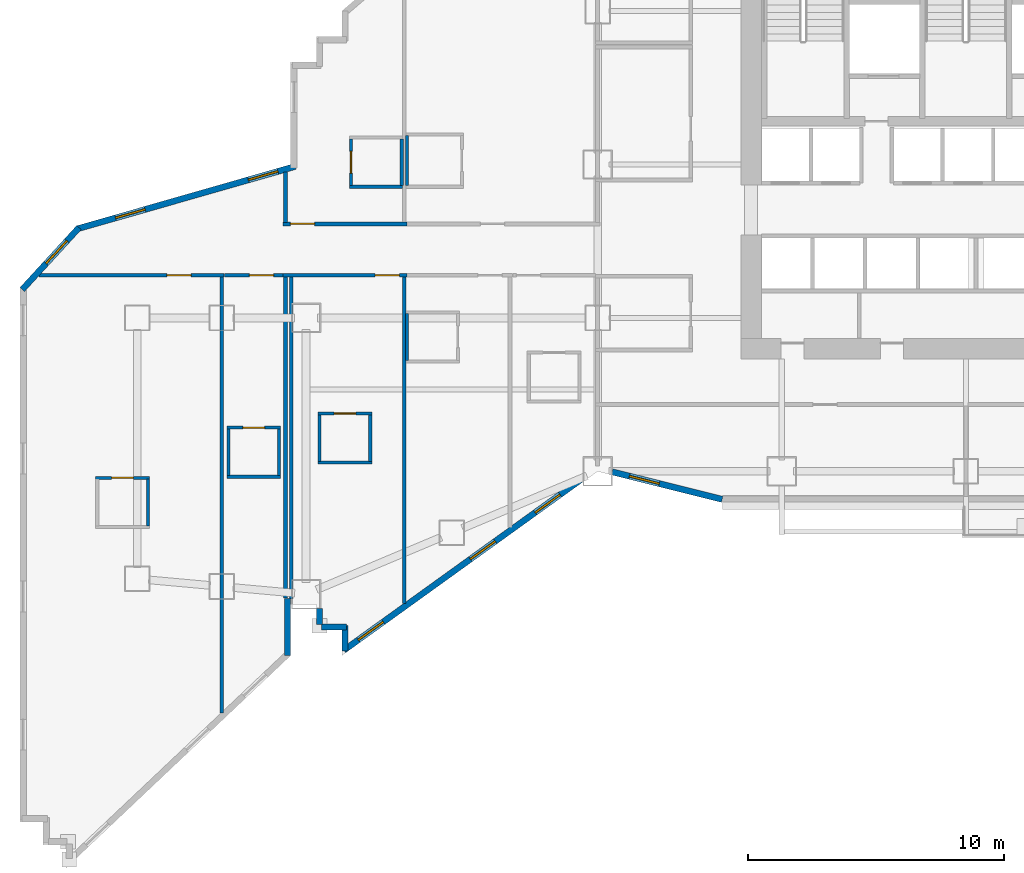
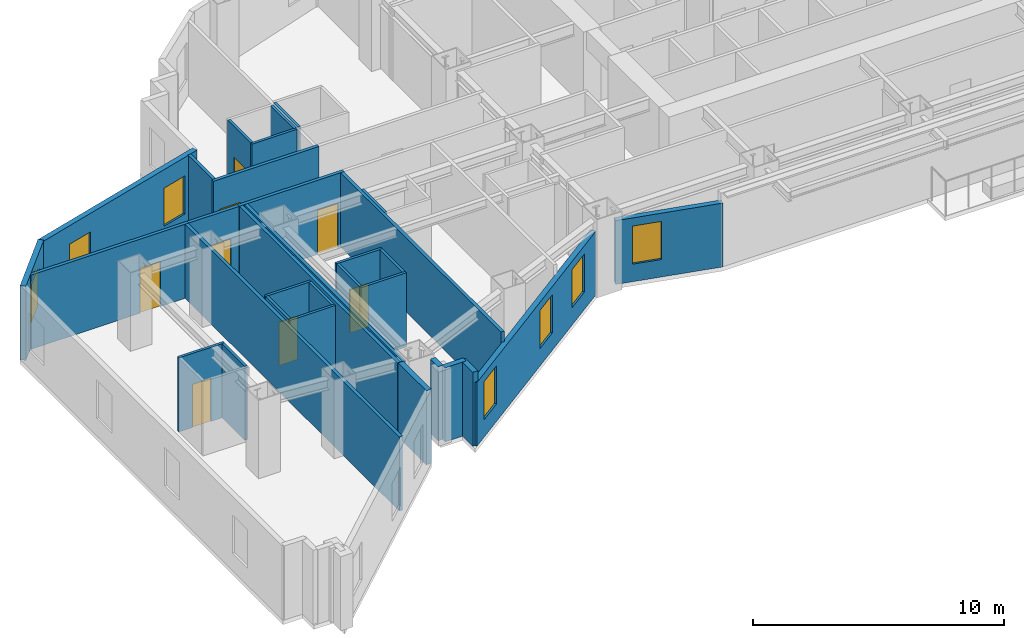
# One storey, part 6 of 17: 32 walls, 8 doors, 7 windows, 15 openings.
"""IFC4 building model written with IfcOpenShell, lengths in metres."""

from ifc_helpers import new_model, si_unit, direction, frame, frame_2d, origin, place, context, subcontext, project, spatial, rectangle, extrude, material, layer, layer_set, type_object, element, fill, save


model = new_model("IFC4")

# Units and contexts
model_context = context("Model", 3, precision=1e-05, world=origin(), true_north=direction((0.0, 1.0)))
body_context = subcontext(model_context, "Body", "Model", "MODEL_VIEW")
ifc_project = project(units=[si_unit("LENGTHUNIT", "METRE"), si_unit("AREAUNIT", "SQUARE_METRE"), si_unit("VOLUMEUNIT", "CUBIC_METRE"), si_unit("PLANEANGLEUNIT", "RADIAN"), si_unit("MASSUNIT", "GRAM", prefix="KILO")], contexts=[model_context])

# Site, building, storey
site_placement = place(None, origin())
site = spatial("IfcSite", under=ifc_project, at=site_placement, CompositionType="ELEMENT")
building_placement = place(site_placement, origin())
building = spatial("IfcBuilding", under=site, at=building_placement, Name="Haolan Belvedere Tower", CompositionType="ELEMENT")
storey_placement = place(building_placement, frame((0.0, 0.0, 59.0)))
storey = spatial("IfcBuildingStorey", under=building, at=storey_placement, Name="L14", CompositionType="ELEMENT", Elevation=59.0)

# Walls
ifc_material_1 = material(Name="Precast concrete C40/50", Category="concrete")
ifc_layer_1 = layer(ifc_material_1, 0.239990234375, Name="Precast concrete C40/50")
ifc_layer_set_1 = layer_set([ifc_layer_1], Name="Precast concrete C40/50")
wall_type_1 = type_object("IfcWallType", Name="WL-EXT-240", PredefinedType="SOLIDWALL", material=ifc_layer_set_1)
wall_1_placement = place(storey_placement, frame((11.8798828125, 14.396728515625, 0.0), z_axis=(0.0, 0.0, 1.0), x_axis=(0.0, 1.0, 0.0)))
element("IfcWall", 1, at=wall_1_placement, inside=storey, type_object=wall_type_1, Name="L14 pale-metal exterior spandrel wall 6.1", PredefinedType="SOLIDWALL", context=body_context, shape_type="SweptSolid", body=[
    extrude(rectangle(XDim=2.2431640625, YDim=0.239990234375, at=frame_2d((1.12158203125, 0.0))), origin(), (0.0, 0.0, 1.0), 3.60009765625),
])
wall_2_placement = place(storey_placement, frame((13.1201171875, 16.23291015625, 0.0), z_axis=(0.0, 0.0, 1.0), x_axis=(0.0, -1.0, 0.0)))
element("IfcWall", 2, at=wall_2_placement, inside=storey, type_object=wall_type_1, Name="L14 pale-metal exterior spandrel wall 8.1", PredefinedType="SOLIDWALL", context=body_context, shape_type="SweptSolid", body=[
    extrude(rectangle(XDim=0.6279296875, YDim=0.239990234375, at=frame_2d((0.31396484375, 0.0))), origin(), (0.0, 0.0, 1.0), 3.60009765625),
])
wall_3_placement = place(storey_placement, frame((13.205078125, 15.52001953125, 0.0), z_axis=(0.0, 0.0, 1.0), x_axis=(1.0, 0.0, 0.0)))
element("IfcWall", 3, at=wall_3_placement, inside=storey, type_object=wall_type_1, Name="L14 pale-metal exterior spandrel wall 9.1", PredefinedType="SOLIDWALL", context=body_context, shape_type="SweptSolid", body=[
    extrude(rectangle(XDim=0.969970703125, YDim=0.239990234375, at=frame_2d((0.48486328125, 0.0))), origin(), (0.0, 0.0, 1.0), 3.60009765625),
])
wall_4_placement = place(storey_placement, frame((14.1201171875, 15.574951171875, 0.0), z_axis=(0.0, 0.0, 1.0), x_axis=(0.0, -1.0, 0.0)))
element("IfcWall", 4, at=wall_4_placement, inside=storey, type_object=wall_type_1, Name="L14 pale-metal exterior spandrel wall 10.1", PredefinedType="SOLIDWALL", context=body_context, shape_type="SweptSolid", body=[
    extrude(rectangle(XDim=0.99560546875, YDim=0.239990234375, at=frame_2d((0.497802734375, 0.0))), origin(), (0.0, 0.0, 1.0), 3.60009765625),
])

# Wall, openings, windows
wall_5_placement = place(storey_placement, frame((14.075439453125, 14.602294921875, 0.0), z_axis=(0.0, 0.0, 1.0), x_axis=(0.811543176492, 0.58429245476, 0.0)))
wall_5 = element("IfcWall", 5, at=wall_5_placement, inside=storey, type_object=wall_type_1, Name="L14 pale-metal exterior spandrel wall 11.1", PredefinedType="SOLIDWALL", context=body_context, shape_type="SweptSolid", body=[
    extrude(rectangle(XDim=11.53076171875, YDim=0.239990234375, at=frame_2d((5.765380859375, 0.0))), origin(), (0.0, 0.0, 1.0), 3.096923828125),
])
opening_1_placement = place(wall_5_placement, frame((0.699951171875, 0.0, 0.85009765625)))
opening_1 = element("IfcOpeningElement", 6, at=opening_1_placement, cuts=wall_5, Name="Opening W-01", PredefinedType="OPENING", context=body_context, shape_type="SweptSolid", body=[
    extrude(rectangle(XDim=1.199951171875, YDim=1.85009765625, at=frame_2d((0.60009765625, 0.925048828125))), frame((0.0, 0.1298828125, 0.0), z_axis=(0.0, -1.0, 0.0), x_axis=(1.0, 0.0, 0.0)), (0.0, 0.0, 1.0), 0.260009765625),
])
opening_2_placement = place(wall_5_placement, frame((6.10009765625, 0.0, 0.85009765625)))
opening_2 = element("IfcOpeningElement", 7, at=opening_2_placement, cuts=wall_5, Name="Opening W-01", PredefinedType="OPENING", context=body_context, shape_type="SweptSolid", body=[
    extrude(rectangle(XDim=1.199951171875, YDim=1.85009765625, at=frame_2d((0.60009765625, 0.925048828125))), frame((0.0, 0.1298828125, 0.0), z_axis=(0.0, -1.0, 0.0), x_axis=(1.0, 0.0, 0.0)), (0.0, 0.0, 1.0), 0.260009765625),
])
opening_3_placement = place(wall_5_placement, frame((9.217529296875, 0.0, 0.85009765625)))
opening_3 = element("IfcOpeningElement", 8, at=opening_3_placement, cuts=wall_5, Name="Opening W-01", PredefinedType="OPENING", context=body_context, shape_type="SweptSolid", body=[
    extrude(rectangle(XDim=1.199951171875, YDim=1.85009765625, at=frame_2d((0.60009765625, 0.925048828125))), frame((0.0, 0.1298828125, 0.0), z_axis=(0.0, -1.0, 0.0), x_axis=(1.0, 0.0, 0.0)), (0.0, 0.0, 1.0), 0.260009765625),
])
ifc_material_2 = material(Name="Anodised aluminium 6063-T6 and Low-E glass", Category="aluminium")
window_type = type_object("IfcWindowType", Name="WN-DECO-Z1", PartitioningType="SINGLE_PANEL", PredefinedType="WINDOW", material=ifc_material_2)
window_1_placement = place(opening_1_placement, origin())
window_1 = element("IfcWindow", 9, at=window_1_placement, inside=storey, type_object=window_type, Name="L14 Art Deco chevron window 1", OverallHeight=1.85009765625, OverallWidth=1.199951171875, PartitioningType="SINGLE_PANEL", PredefinedType="WINDOW", context=body_context, shape_type="SweptSolid", body=[
    extrude(rectangle(XDim=1.199951171875, YDim=1.85009765625, at=frame_2d((0.60009765625, 0.925048828125))), frame((0.0, 0.030029296875, 0.0), z_axis=(0.0, -1.0, 0.0), x_axis=(1.0, 0.0, 0.0)), (0.0, 0.0, 1.0), 0.06005859375),
])
fill(opening_1, window_1)
window_2_placement = place(opening_2_placement, origin())
window_2 = element("IfcWindow", 10, at=window_2_placement, inside=storey, type_object=window_type, Name="L14 Art Deco chevron window 2", OverallHeight=1.85009765625, OverallWidth=1.199951171875, PartitioningType="SINGLE_PANEL", PredefinedType="WINDOW", context=body_context, shape_type="SweptSolid", body=[
    extrude(rectangle(XDim=1.199951171875, YDim=1.85009765625, at=frame_2d((0.60009765625, 0.925048828125))), frame((0.0, 0.030029296875, 0.0), z_axis=(0.0, -1.0, 0.0), x_axis=(1.0, 0.0, 0.0)), (0.0, 0.0, 1.0), 0.06005859375),
])
fill(opening_2, window_2)
window_3_placement = place(opening_3_placement, origin())
window_3 = element("IfcWindow", 11, at=window_3_placement, inside=storey, type_object=window_type, Name="L14 Art Deco guestroom window 1", OverallHeight=1.85009765625, OverallWidth=1.199951171875, PartitioningType="SINGLE_PANEL", PredefinedType="WINDOW", context=body_context, shape_type="SweptSolid", body=[
    extrude(rectangle(XDim=1.199951171875, YDim=1.85009765625, at=frame_2d((0.60009765625, 0.925048828125))), frame((0.0, 0.030029296875, 0.0), z_axis=(0.0, -1.0, 0.0), x_axis=(1.0, 0.0, 0.0)), (0.0, 0.0, 1.0), 0.06005859375),
])
fill(opening_3, window_3)

# Wall, opening, window
wall_6_placement = place(storey_placement, frame((24.56689453125, 21.581787109375, 0.0), z_axis=(0.0, 0.0, 1.0), x_axis=(0.970148978127, -0.24250971164, 0.0)))
wall_6 = element("IfcWall", 12, at=wall_6_placement, inside=storey, type_object=wall_type_1, Name="L14 pale-metal exterior spandrel wall 12.1", PredefinedType="SOLIDWALL", context=body_context, shape_type="SweptSolid", body=[
    extrude(rectangle(XDim=4.43359375, YDim=0.239990234375, at=frame_2d((2.216796875, 0.0))), origin(), (0.0, 0.0, 1.0), 3.096923828125),
])
opening_4_placement = place(wall_6_placement, frame((0.699951171875, 0.0, 0.85009765625)))
opening_4 = element("IfcOpeningElement", 13, at=opening_4_placement, cuts=wall_6, Name="Opening W-01", PredefinedType="OPENING", context=body_context, shape_type="SweptSolid", body=[
    extrude(rectangle(XDim=1.199951171875, YDim=1.85009765625, at=frame_2d((0.60009765625, 0.925048828125))), frame((0.0, 0.1298828125, 0.0), z_axis=(0.0, -1.0, 0.0), x_axis=(1.0, 0.0, 0.0)), (0.0, 0.0, 1.0), 0.260009765625),
])
window_4_placement = place(opening_4_placement, origin())
window_4 = element("IfcWindow", 14, at=window_4_placement, inside=storey, type_object=window_type, Name="L14 Art Deco chevron window 1", OverallHeight=1.85009765625, OverallWidth=1.199951171875, PartitioningType="SINGLE_PANEL", PredefinedType="WINDOW", context=body_context, shape_type="SweptSolid", body=[
    extrude(rectangle(XDim=1.199951171875, YDim=1.85009765625, at=frame_2d((0.60009765625, 0.925048828125))), frame((0.0, 0.030029296875, 0.0), z_axis=(0.0, -1.0, 0.0), x_axis=(1.0, 0.0, 0.0)), (0.0, 0.0, 1.0), 0.06005859375),
])
fill(opening_4, window_4)

# Wall, openings, windows
wall_7_placement = place(storey_placement, frame((12.1728515625, 33.524658203125, 0.0), z_axis=(0.0, 0.0, 1.0), x_axis=(-0.961351601853, -0.275323623424, 0.0)))
wall_7 = element("IfcWall", 15, at=wall_7_placement, inside=storey, type_object=wall_type_1, Name="L14 pale-metal exterior spandrel wall 57.1", PredefinedType="SOLIDWALL", context=body_context, shape_type="SweptSolid", body=[
    extrude(rectangle(XDim=8.88330078125, YDim=0.239990234375, at=frame_2d((4.441650390625, 0.0))), origin(), (0.0, 0.0, 1.0), 3.60009765625),
])
opening_5_placement = place(wall_7_placement, frame((0.699951171875, 0.0, 0.85009765625)))
opening_5 = element("IfcOpeningElement", 16, at=opening_5_placement, cuts=wall_7, Name="Opening W-01", PredefinedType="OPENING", context=body_context, shape_type="SweptSolid", body=[
    extrude(rectangle(XDim=1.199951171875, YDim=1.85009765625, at=frame_2d((0.60009765625, 0.925048828125))), frame((0.0, 0.1298828125, 0.0), z_axis=(0.0, -1.0, 0.0), x_axis=(1.0, 0.0, 0.0)), (0.0, 0.0, 1.0), 0.260009765625),
])
opening_6_placement = place(wall_7_placement, frame((6.10009765625, 0.0, 0.85009765625)))
opening_6 = element("IfcOpeningElement", 17, at=opening_6_placement, cuts=wall_7, Name="Opening W-01", PredefinedType="OPENING", context=body_context, shape_type="SweptSolid", body=[
    extrude(rectangle(XDim=1.199951171875, YDim=1.85009765625, at=frame_2d((0.60009765625, 0.925048828125))), frame((0.0, 0.1298828125, 0.0), z_axis=(0.0, -1.0, 0.0), x_axis=(1.0, 0.0, 0.0)), (0.0, 0.0, 1.0), 0.260009765625),
])
window_5_placement = place(opening_5_placement, origin())
window_5 = element("IfcWindow", 18, at=window_5_placement, inside=storey, type_object=window_type, Name="L14 Art Deco chevron window 1", OverallHeight=1.85009765625, OverallWidth=1.199951171875, PartitioningType="SINGLE_PANEL", PredefinedType="WINDOW", context=body_context, shape_type="SweptSolid", body=[
    extrude(rectangle(XDim=1.199951171875, YDim=1.85009765625, at=frame_2d((0.60009765625, 0.925048828125))), frame((0.0, 0.030029296875, 0.0), z_axis=(0.0, -1.0, 0.0), x_axis=(1.0, 0.0, 0.0)), (0.0, 0.0, 1.0), 0.06005859375),
])
fill(opening_5, window_5)
window_6_placement = place(opening_6_placement, origin())
window_6 = element("IfcWindow", 19, at=window_6_placement, inside=storey, type_object=window_type, Name="L14 Art Deco chevron window 2", OverallHeight=1.85009765625, OverallWidth=1.199951171875, PartitioningType="SINGLE_PANEL", PredefinedType="WINDOW", context=body_context, shape_type="SweptSolid", body=[
    extrude(rectangle(XDim=1.199951171875, YDim=1.85009765625, at=frame_2d((0.60009765625, 0.925048828125))), frame((0.0, 0.030029296875, 0.0), z_axis=(0.0, -1.0, 0.0), x_axis=(1.0, 0.0, 0.0)), (0.0, 0.0, 1.0), 0.06005859375),
])
fill(opening_6, window_6)

# Wall, opening, window
wall_8_placement = place(storey_placement, frame((3.722900390625, 31.134521484375, 0.0), z_axis=(0.0, 0.0, 1.0), x_axis=(-0.675788561887, -0.737095529509, 0.0)))
wall_8 = element("IfcWall", 20, at=wall_8_placement, inside=storey, type_object=wall_type_1, Name="L14 pale-metal exterior spandrel wall 58.1", PredefinedType="SOLIDWALL", context=body_context, shape_type="SweptSolid", body=[
    extrude(rectangle(XDim=3.285400390625, YDim=0.239990234375, at=frame_2d((1.642578125, 0.0))), origin(), (0.0, 0.0, 1.0), 3.60009765625),
])
opening_7_placement = place(wall_8_placement, frame((0.699951171875, 0.0, 0.85009765625)))
opening_7 = element("IfcOpeningElement", 21, at=opening_7_placement, cuts=wall_8, Name="Opening W-01", PredefinedType="OPENING", context=body_context, shape_type="SweptSolid", body=[
    extrude(rectangle(XDim=1.199951171875, YDim=1.85009765625, at=frame_2d((0.60009765625, 0.925048828125))), frame((0.0, 0.1298828125, 0.0), z_axis=(0.0, -1.0, 0.0), x_axis=(1.0, 0.0, 0.0)), (0.0, 0.0, 1.0), 0.260009765625),
])
window_7_placement = place(opening_7_placement, origin())
window_7 = element("IfcWindow", 22, at=window_7_placement, inside=storey, type_object=window_type, Name="L14 Art Deco chevron window 1", OverallHeight=1.85009765625, OverallWidth=1.199951171875, PartitioningType="SINGLE_PANEL", PredefinedType="WINDOW", context=body_context, shape_type="SweptSolid", body=[
    extrude(rectangle(XDim=1.199951171875, YDim=1.85009765625, at=frame_2d((0.60009765625, 0.925048828125))), frame((0.0, 0.030029296875, 0.0), z_axis=(0.0, -1.0, 0.0), x_axis=(1.0, 0.0, 0.0)), (0.0, 0.0, 1.0), 0.06005859375),
])
fill(opening_7, window_7)

# Wall, opening, door
ifc_material_3 = material(Name="Double gypsum acoustic stud partition", Category="masonry")
ifc_layer_2 = layer(ifc_material_3, 0.14990234375, Name="Double gypsum acoustic stud partition")
ifc_layer_set_2 = layer_set([ifc_layer_2], Name="Double gypsum acoustic stud partition")
wall_type_2 = type_object("IfcWallType", Name="WL-PART-150", PredefinedType="PARTITIONING", material=ifc_layer_set_2)
wall_9_placement = place(storey_placement, frame((11.699951171875, 31.280029296875, 0.0), z_axis=(0.0, 0.0, 1.0), x_axis=(1.0, 0.0, 0.0)))
wall_9 = element("IfcWall", 23, at=wall_9_placement, inside=storey, type_object=wall_type_2, Name="L14 interior partition IW-L14-T2N1-S", PredefinedType="PARTITIONING", context=body_context, shape_type="SweptSolid", body=[
    extrude(rectangle(XDim=4.840087890625, YDim=0.14990234375, at=frame_2d((2.419921875, 0.0))), origin(), (0.0, 0.0, 1.0), 3.60009765625),
])
opening_8_placement = place(wall_9_placement, frame((0.28759765625, 0.0, 0.0)))
opening_8 = element("IfcOpeningElement", 24, at=opening_8_placement, cuts=wall_9, Name="Opening ID-02", PredefinedType="OPENING", context=body_context, shape_type="SweptSolid", body=[
    extrude(rectangle(XDim=0.949951171875, YDim=2.14990234375, at=frame_2d((0.47509765625, 1.074951171875))), frame((0.0, 0.0849609375, 0.0), z_axis=(0.0, -1.0, 0.0), x_axis=(1.0, 0.0, 0.0)), (0.0, 0.0, 1.0), 0.169921875),
])
ifc_material_4 = material(Name="Acoustic oak veneer fire-rated timber", Category="wood")
door_type_1 = type_object("IfcDoorType", Name="DR-GUEST-950", OperationType="NOTDEFINED", PredefinedType="DOOR", material=ifc_material_4)
door_1_placement = place(opening_8_placement, origin())
door_1 = element("IfcDoor", 25, at=door_1_placement, inside=storey, type_object=door_type_1, Name="L14 door ID-L14-T2N1-ENT", OperationType="SINGLE_SWING_RIGHT", OverallHeight=2.14990234375, OverallWidth=0.949951171875, PredefinedType="DOOR", context=body_context, shape_type="SweptSolid", body=[
    extrude(rectangle(XDim=0.949951171875, YDim=2.14990234375, at=frame_2d((0.47509765625, 1.074951171875))), frame((0.0, 0.02490234375, 0.0), z_axis=(0.0, -1.0, 0.0), x_axis=(1.0, 0.0, 0.0)), (0.0, 0.0, 1.0), 0.050048828125),
])
fill(opening_8, door_1)

# Wall
wall_10_placement = place(storey_placement, frame((11.800048828125, 31.340087890625, 0.0), z_axis=(0.0, 0.0, 1.0), x_axis=(0.0, 1.0, 0.0)))
element("IfcWall", 26, at=wall_10_placement, inside=storey, type_object=wall_type_2, Name="L14 interior partition IW-L14-T2N1-W", PredefinedType="PARTITIONING", context=body_context, shape_type="SweptSolid", body=[
    extrude(rectangle(XDim=1.968505859375, YDim=0.14990234375, at=frame_2d((0.984375, 0.0))), origin(), (0.0, 0.0, 1.0), 3.60009765625),
])

# Wall, opening, door
wall_11_placement = place(storey_placement, frame((11.699951171875, 29.27001953125, 0.0), z_axis=(0.0, 0.0, 1.0), x_axis=(1.0, 0.0, 0.0)))
wall_11 = element("IfcWall", 27, at=wall_11_placement, inside=storey, type_object=wall_type_2, Name="L14 interior partition IW-L14-T2S1-N", PredefinedType="PARTITIONING", context=body_context, shape_type="SweptSolid", body=[
    extrude(rectangle(XDim=4.840087890625, YDim=0.14990234375, at=frame_2d((2.419921875, 0.0))), origin(), (0.0, 0.0, 1.0), 3.60009765625),
])
opening_9_placement = place(wall_11_placement, frame((4.552490234375, 0.0, 0.0), z_axis=(0.0, 0.0, 1.0), x_axis=(-1.0, 0.0, 0.0)))
opening_9 = element("IfcOpeningElement", 28, at=opening_9_placement, cuts=wall_11, Name="Opening ID-02", PredefinedType="OPENING", context=body_context, shape_type="SweptSolid", body=[
    extrude(rectangle(XDim=0.949951171875, YDim=2.14990234375, at=frame_2d((0.47509765625, 1.074951171875))), frame((0.0, 0.0849609375, 0.0), z_axis=(0.0, -1.0, 0.0), x_axis=(1.0, 0.0, 0.0)), (0.0, 0.0, 1.0), 0.169921875),
])
door_2_placement = place(opening_9_placement, origin())
door_2 = element("IfcDoor", 29, at=door_2_placement, inside=storey, type_object=door_type_1, Name="L14 door ID-L14-T2S1-ENT", OperationType="SINGLE_SWING_RIGHT", OverallHeight=2.14990234375, OverallWidth=0.949951171875, PredefinedType="DOOR", context=body_context, shape_type="SweptSolid", body=[
    extrude(rectangle(XDim=0.949951171875, YDim=2.14990234375, at=frame_2d((0.47509765625, 1.074951171875))), frame((0.0, 0.02490234375, 0.0), z_axis=(0.0, -1.0, 0.0), x_axis=(1.0, 0.0, 0.0)), (0.0, 0.0, 1.0), 0.050048828125),
])
fill(opening_9, door_2)

# Walls
wall_12_placement = place(storey_placement, frame((11.800048828125, 16.64208984375, 0.0), z_axis=(0.0, 0.0, 1.0), x_axis=(0.0, 1.0, 0.0)))
element("IfcWall", 30, at=wall_12_placement, inside=storey, type_object=wall_type_2, Name="L14 interior partition IW-L14-T2S1-W", PredefinedType="PARTITIONING", context=body_context, shape_type="SweptSolid", body=[
    extrude(rectangle(XDim=12.56787109375, YDim=0.14990234375, at=frame_2d((6.283935546875, 0.0))), origin(), (0.0, 0.0, 1.0), 3.60009765625),
])
wall_13_placement = place(storey_placement, frame((16.43994140625, 16.43408203125, 0.0), z_axis=(0.0, 0.0, 1.0), x_axis=(0.0, 1.0, 0.0)))
element("IfcWall", 31, at=wall_13_placement, inside=storey, type_object=wall_type_2, Name="L14 interior partition IW-L14-T2S1-E", PredefinedType="PARTITIONING", context=body_context, shape_type="SweptSolid", body=[
    extrude(rectangle(XDim=12.77587890625, YDim=0.14990234375, at=frame_2d((6.387939453125, 0.0))), origin(), (0.0, 0.0, 1.0), 3.60009765625),
])

# Wall, opening, door
wall_14_placement = place(storey_placement, frame((2.156005859375, 29.27001953125, 0.0), z_axis=(0.0, 0.0, 1.0), x_axis=(1.0, 0.0, 0.0)))
wall_14 = element("IfcWall", 32, at=wall_14_placement, inside=storey, type_object=wall_type_2, Name="L14 interior partition IW-L14-T1S1-N", PredefinedType="PARTITIONING", context=body_context, shape_type="SweptSolid", body=[
    extrude(rectangle(XDim=7.243896484375, YDim=0.14990234375, at=frame_2d((3.6220703125, 0.0))), origin(), (0.0, 0.0, 1.0), 3.60009765625),
])
opening_10_placement = place(wall_14_placement, frame((5.947265625, 0.0, 0.0), z_axis=(0.0, 0.0, 1.0), x_axis=(-1.0, 0.0, 0.0)))
opening_10 = element("IfcOpeningElement", 33, at=opening_10_placement, cuts=wall_14, Name="Opening ID-01", PredefinedType="OPENING", context=body_context, shape_type="SweptSolid", body=[
    extrude(rectangle(XDim=0.949951171875, YDim=2.179931640625, at=frame_2d((0.47509765625, 1.08984375))), frame((0.0, 0.0849609375, 0.0), z_axis=(0.0, -1.0, 0.0), x_axis=(1.0, 0.0, 0.0)), (0.0, 0.0, 1.0), 0.169921875),
])
ifc_material_5 = material(Name="Acoustic walnut veneer fire-rated timber", Category="wood")
door_type_2 = type_object("IfcDoorType", Name="DR-SUITE-950", OperationType="NOTDEFINED", PredefinedType="DOOR", material=ifc_material_5)
door_3_placement = place(opening_10_placement, origin())
door_3 = element("IfcDoor", 34, at=door_3_placement, inside=storey, type_object=door_type_2, Name="L14 door ID-L14-T1S1-ENT", OperationType="SINGLE_SWING_RIGHT", OverallHeight=2.179931640625, OverallWidth=0.949951171875, PredefinedType="DOOR", context=body_context, shape_type="SweptSolid", body=[
    extrude(rectangle(XDim=0.949951171875, YDim=2.179931640625, at=frame_2d((0.47509765625, 1.08984375))), frame((0.0, 0.02490234375, 0.0), z_axis=(0.0, -1.0, 0.0), x_axis=(1.0, 0.0, 0.0)), (0.0, 0.0, 1.0), 0.050048828125),
])
fill(opening_10, door_3)

# Wall
wall_15_placement = place(storey_placement, frame((9.300048828125, 12.156982421875, 0.0), z_axis=(0.0, 0.0, 1.0), x_axis=(0.0, 1.0, 0.0)))
element("IfcWall", 35, at=wall_15_placement, inside=storey, type_object=wall_type_2, Name="L14 interior partition IW-L14-T1S1-E", PredefinedType="PARTITIONING", context=body_context, shape_type="SweptSolid", body=[
    extrude(rectangle(XDim=17.052978515625, YDim=0.14990234375, at=frame_2d((8.5263671875, 0.0))), origin(), (0.0, 0.0, 1.0), 3.60009765625),
])

# Wall, opening, door
wall_16_placement = place(storey_placement, frame((9.402099609375, 29.27001953125, 0.0), z_axis=(0.0, 0.0, 1.0), x_axis=(1.0, 0.0, 0.0)))
wall_16 = element("IfcWall", 36, at=wall_16_placement, inside=storey, type_object=wall_type_2, Name="L14 interior partition IW-L14-T1S2-N", PredefinedType="PARTITIONING", context=body_context, shape_type="SweptSolid", body=[
    extrude(rectangle(XDim=2.2958984375, YDim=0.14990234375, at=frame_2d((1.14794921875, 0.0))), origin(), (0.0, 0.0, 1.0), 3.60009765625),
])
opening_11_placement = place(wall_16_placement, frame((1.93408203125, 0.0, 0.0), z_axis=(0.0, 0.0, 1.0), x_axis=(-1.0, 0.0, 0.0)))
opening_11 = element("IfcOpeningElement", 37, at=opening_11_placement, cuts=wall_16, Name="Opening ID-02", PredefinedType="OPENING", context=body_context, shape_type="SweptSolid", body=[
    extrude(rectangle(XDim=0.949951171875, YDim=2.14990234375, at=frame_2d((0.47509765625, 1.074951171875))), frame((0.0, 0.0849609375, 0.0), z_axis=(0.0, -1.0, 0.0), x_axis=(1.0, 0.0, 0.0)), (0.0, 0.0, 1.0), 0.169921875),
])
door_4_placement = place(opening_11_placement, origin())
door_4 = element("IfcDoor", 38, at=door_4_placement, inside=storey, type_object=door_type_1, Name="L14 door ID-L14-T1S2-ENT", OperationType="SINGLE_SWING_LEFT", OverallHeight=2.14990234375, OverallWidth=0.949951171875, PredefinedType="DOOR", context=body_context, shape_type="SweptSolid", body=[
    extrude(rectangle(XDim=0.949951171875, YDim=2.14990234375, at=frame_2d((0.47509765625, 1.074951171875))), frame((0.0, 0.02490234375, 0.0), z_axis=(0.0, -1.0, 0.0), x_axis=(1.0, 0.0, 0.0)), (0.0, 0.0, 1.0), 0.050048828125),
])
fill(opening_11, door_4)

# Walls
wall_17_placement = place(storey_placement, frame((12.02001953125, 16.612060546875, 0.0), z_axis=(0.0, 0.0, 1.0), x_axis=(0.0, 1.0, 0.0)))
element("IfcWall", 39, at=wall_17_placement, inside=storey, type_object=wall_type_2, Name="L14 interior partition IW-L14-T1S2-E", PredefinedType="PARTITIONING", context=body_context, shape_type="SweptSolid", body=[
    extrude(rectangle(XDim=12.597900390625, YDim=0.14990234375, at=frame_2d((6.298828125, 0.0))), origin(), (0.0, 0.0, 1.0), 3.60009765625),
])
ifc_material_6 = material(Name="Moisture-resistant gypsum tile partition", Category="masonry")
ifc_layer_3 = layer(ifc_material_6, 0.1201171875, Name="Moisture-resistant gypsum tile partition")
ifc_layer_set_3 = layer_set([ifc_layer_3], Name="Moisture-resistant gypsum tile partition")
wall_type_3 = type_object("IfcWallType", Name="WL-WET-120", PredefinedType="PARTITIONING", material=ifc_layer_set_3)
wall_18_placement = place(storey_placement, frame((14.300048828125, 32.72998046875, 0.0), z_axis=(0.0, 0.0, 1.0), x_axis=(1.0, 0.0, 0.0)))
element("IfcWall", 40, at=wall_18_placement, inside=storey, type_object=wall_type_3, Name="L14 interior partition IW-L14-T2N1-BS", PredefinedType="PARTITIONING", context=body_context, shape_type="SweptSolid", body=[
    extrude(rectangle(XDim=2.079833984375, YDim=0.1201171875, at=frame_2d((1.0400390625, 0.0))), origin(), (0.0, 0.0, 1.0), 3.60009765625),
])

# Wall, opening, door
wall_19_placement = place(storey_placement, frame((14.360107421875, 32.77490234375, 0.0), z_axis=(0.0, 0.0, 1.0), x_axis=(0.0, 1.0, 0.0)))
wall_19 = element("IfcWall", 41, at=wall_19_placement, inside=storey, type_object=wall_type_3, Name="L14 interior partition IW-L14-T2N1-BW", PredefinedType="PARTITIONING", context=body_context, shape_type="SweptSolid", body=[
    extrude(rectangle(XDim=1.830078125, YDim=0.1201171875, at=frame_2d((0.9150390625, 0.0))), origin(), (0.0, 0.0, 1.0), 3.60009765625),
])
opening_12_placement = place(wall_19_placement, frame((1.340087890625, 0.0, 0.0), z_axis=(0.0, 0.0, 1.0), x_axis=(-1.0, 0.0, 0.0)))
opening_12 = element("IfcOpeningElement", 42, at=opening_12_placement, cuts=wall_19, Name="Opening ID-05", PredefinedType="OPENING", context=body_context, shape_type="SweptSolid", body=[
    extrude(rectangle(XDim=0.85009765625, YDim=2.10009765625, at=frame_2d((0.425048828125, 1.050048828125))), frame((0.0, 0.070068359375, 0.0), z_axis=(0.0, -1.0, 0.0), x_axis=(1.0, 0.0, 0.0)), (0.0, 0.0, 1.0), 0.14013671875),
])
ifc_material_7 = material(Name="Moisture-resistant lacquered timber", Category="wood")
door_type_3 = type_object("IfcDoorType", Name="DR-BATH-850", OperationType="NOTDEFINED", PredefinedType="DOOR", material=ifc_material_7)
door_5_placement = place(opening_12_placement, origin())
door_5 = element("IfcDoor", 43, at=door_5_placement, inside=storey, type_object=door_type_3, Name="L14 door ID-L14-T2N1-BATH", OperationType="SINGLE_SWING_LEFT", OverallHeight=2.10009765625, OverallWidth=0.85009765625, PredefinedType="DOOR", context=body_context, shape_type="SweptSolid", body=[
    extrude(rectangle(XDim=0.85009765625, YDim=2.10009765625, at=frame_2d((0.425048828125, 1.050048828125))), frame((0.0, 0.02490234375, 0.0), z_axis=(0.0, -1.0, 0.0), x_axis=(1.0, 0.0, 0.0)), (0.0, 0.0, 1.0), 0.050048828125),
])
fill(opening_12, door_5)

# Walls
wall_20_placement = place(storey_placement, frame((16.340087890625, 32.77490234375, 0.0), z_axis=(0.0, 0.0, 1.0), x_axis=(0.0, 1.0, 0.0)))
element("IfcWall", 44, at=wall_20_placement, inside=storey, type_object=wall_type_3, Name="L14 interior partition IW-L14-T2N1-BE", PredefinedType="PARTITIONING", context=body_context, shape_type="SweptSolid", body=[
    extrude(rectangle(XDim=1.830078125, YDim=0.1201171875, at=frame_2d((0.9150390625, 0.0))), origin(), (0.0, 0.0, 1.0), 3.60009765625),
])
wall_21_placement = place(storey_placement, frame((16.5400390625, 32.77490234375, 0.0), z_axis=(0.0, 0.0, 1.0), x_axis=(0.0, 1.0, 0.0)))
element("IfcWall", 45, at=wall_21_placement, inside=storey, type_object=wall_type_3, Name="L14 interior partition IW-L14-T2N2-BW", PredefinedType="PARTITIONING", context=body_context, shape_type="SweptSolid", body=[
    extrude(rectangle(XDim=1.960205078125, YDim=0.1201171875, at=frame_2d((0.97998046875, 0.0))), origin(), (0.0, 0.0, 1.0), 3.60009765625),
])

# Wall, opening, door
wall_22_placement = place(storey_placement, frame((13.070068359375, 23.860107421875, 0.0), z_axis=(0.0, 0.0, 1.0), x_axis=(1.0, 0.0, 0.0)))
wall_22 = element("IfcWall", 46, at=wall_22_placement, inside=storey, type_object=wall_type_3, Name="L14 interior partition IW-L14-T2S1-BN", PredefinedType="PARTITIONING", context=body_context, shape_type="SweptSolid", body=[
    extrude(rectangle(XDim=2.099853515625, YDim=0.1201171875, at=frame_2d((1.0498046875, 0.0))), origin(), (0.0, 0.0, 1.0), 3.60009765625),
])
opening_13_placement = place(wall_22_placement, frame((1.47509765625, 0.0, 0.0), z_axis=(0.0, 0.0, 1.0), x_axis=(-1.0, 0.0, 0.0)))
opening_13 = element("IfcOpeningElement", 47, at=opening_13_placement, cuts=wall_22, Name="Opening ID-05", PredefinedType="OPENING", context=body_context, shape_type="SweptSolid", body=[
    extrude(rectangle(XDim=0.85009765625, YDim=2.10009765625, at=frame_2d((0.425048828125, 1.050048828125))), frame((0.0, 0.070068359375, 0.0), z_axis=(0.0, -1.0, 0.0), x_axis=(1.0, 0.0, 0.0)), (0.0, 0.0, 1.0), 0.14013671875),
])
door_6_placement = place(opening_13_placement, origin())
door_6 = element("IfcDoor", 48, at=door_6_placement, inside=storey, type_object=door_type_3, Name="L14 door ID-L14-T2S1-BATH", OperationType="SINGLE_SWING_LEFT", OverallHeight=2.10009765625, OverallWidth=0.85009765625, PredefinedType="DOOR", context=body_context, shape_type="SweptSolid", body=[
    extrude(rectangle(XDim=0.85009765625, YDim=2.10009765625, at=frame_2d((0.425048828125, 1.050048828125))), frame((0.0, 0.02490234375, 0.0), z_axis=(0.0, -1.0, 0.0), x_axis=(1.0, 0.0, 0.0)), (0.0, 0.0, 1.0), 0.050048828125),
])
fill(opening_13, door_6)

# Walls
wall_23_placement = place(storey_placement, frame((13.070068359375, 21.93994140625, 0.0), z_axis=(0.0, 0.0, 1.0), x_axis=(1.0, 0.0, 0.0)))
element("IfcWall", 49, at=wall_23_placement, inside=storey, type_object=wall_type_3, Name="L14 interior partition IW-L14-T2S1-BS", PredefinedType="PARTITIONING", context=body_context, shape_type="SweptSolid", body=[
    extrude(rectangle(XDim=2.099853515625, YDim=0.1201171875, at=frame_2d((1.0498046875, 0.0))), origin(), (0.0, 0.0, 1.0), 3.60009765625),
])
for number, where, z_axis, x_axis, name in (
    (50, (13.1298828125, 21.985107421875, 0.0), (0.0, 0.0, 1.0), (0.0, 1.0, 0.0), "L14 interior partition IW-L14-T2S1-BW"),
    (51, (15.110107421875, 21.985107421875, 0.0), (0.0, 0.0, 1.0), (0.0, 1.0, 0.0), "L14 interior partition IW-L14-T2S1-BE"),
    (52, (16.554931640625, 25.945068359375, 0.0), (0.0, 0.0, 1.0), (0.0, 1.0, 0.0), "L14 interior partition IW-L14-T2S2-BW"),
):
    element("IfcWall", number, at=place(storey_placement, frame(where, z_axis=z_axis, x_axis=x_axis)), inside=storey, type_object=wall_type_3, Name=name, PredefinedType="PARTITIONING", context=body_context, shape_type="SweptSolid", body=[
        extrude(rectangle(XDim=1.829833984375, YDim=0.1201171875, at=frame_2d((0.9150390625, 0.0))), origin(), (0.0, 0.0, 1.0), 3.60009765625),
    ])

# Wall, opening, door
wall_24_placement = place(storey_placement, frame((4.375, 21.347900390625, 0.0), z_axis=(0.0, 0.0, 1.0), x_axis=(1.0, 0.0, 0.0)))
wall_24 = element("IfcWall", 53, at=wall_24_placement, inside=storey, type_object=wall_type_3, Name="L14 interior partition IW-L14-T1S1-BN", PredefinedType="PARTITIONING", context=body_context, shape_type="SweptSolid", body=[
    extrude(rectangle(XDim=2.10009765625, YDim=0.1201171875, at=frame_2d((1.050048828125, 0.0))), origin(), (0.0, 0.0, 1.0), 3.60009765625),
])
opening_14_placement = place(wall_24_placement, frame((1.47509765625, 0.0, 0.0), z_axis=(0.0, 0.0, 1.0), x_axis=(-1.0, 0.0, 0.0)))
opening_14 = element("IfcOpeningElement", 54, at=opening_14_placement, cuts=wall_24, Name="Opening ID-05", PredefinedType="OPENING", context=body_context, shape_type="SweptSolid", body=[
    extrude(rectangle(XDim=0.85009765625, YDim=2.10009765625, at=frame_2d((0.425048828125, 1.050048828125))), frame((0.0, 0.070068359375, 0.0), z_axis=(0.0, -1.0, 0.0), x_axis=(1.0, 0.0, 0.0)), (0.0, 0.0, 1.0), 0.14013671875),
])
door_7_placement = place(opening_14_placement, origin())
door_7 = element("IfcDoor", 55, at=door_7_placement, inside=storey, type_object=door_type_3, Name="L14 door ID-L14-T1S1-BATH", OperationType="SINGLE_SWING_LEFT", OverallHeight=2.10009765625, OverallWidth=0.85009765625, PredefinedType="DOOR", context=body_context, shape_type="SweptSolid", body=[
    extrude(rectangle(XDim=0.85009765625, YDim=2.10009765625, at=frame_2d((0.425048828125, 1.050048828125))), frame((0.0, 0.02490234375, 0.0), z_axis=(0.0, -1.0, 0.0), x_axis=(1.0, 0.0, 0.0)), (0.0, 0.0, 1.0), 0.050048828125),
])
fill(opening_14, door_7)

# Wall
wall_25_placement = place(storey_placement, frame((6.4150390625, 19.472900390625, 0.0), z_axis=(0.0, 0.0, 1.0), x_axis=(0.0, 1.0, 0.0)))
element("IfcWall", 56, at=wall_25_placement, inside=storey, type_object=wall_type_3, Name="L14 interior partition IW-L14-T1S1-BE", PredefinedType="PARTITIONING", context=body_context, shape_type="SweptSolid", body=[
    extrude(rectangle(XDim=1.830078125, YDim=0.1201171875, at=frame_2d((0.9150390625, 0.0))), origin(), (0.0, 0.0, 1.0), 3.60009765625),
])

# Wall, opening, door
wall_26_placement = place(storey_placement, frame((9.5, 23.31005859375, 0.0), z_axis=(0.0, 0.0, 1.0), x_axis=(1.0, 0.0, 0.0)))
wall_26 = element("IfcWall", 57, at=wall_26_placement, inside=storey, type_object=wall_type_3, Name="L14 interior partition IW-L14-T1S2-BN", PredefinedType="PARTITIONING", context=body_context, shape_type="SweptSolid", body=[
    extrude(rectangle(XDim=2.10009765625, YDim=0.1201171875, at=frame_2d((1.050048828125, 0.0))), origin(), (0.0, 0.0, 1.0), 3.60009765625),
])
opening_15_placement = place(wall_26_placement, frame((1.47509765625, 0.0, 0.0), z_axis=(0.0, 0.0, 1.0), x_axis=(-1.0, 0.0, 0.0)))
opening_15 = element("IfcOpeningElement", 58, at=opening_15_placement, cuts=wall_26, Name="Opening ID-05", PredefinedType="OPENING", context=body_context, shape_type="SweptSolid", body=[
    extrude(rectangle(XDim=0.85009765625, YDim=2.10009765625, at=frame_2d((0.425048828125, 1.050048828125))), frame((0.0, 0.070068359375, 0.0), z_axis=(0.0, -1.0, 0.0), x_axis=(1.0, 0.0, 0.0)), (0.0, 0.0, 1.0), 0.14013671875),
])
door_8_placement = place(opening_15_placement, origin())
door_8 = element("IfcDoor", 59, at=door_8_placement, inside=storey, type_object=door_type_3, Name="L14 door ID-L14-T1S2-BATH", OperationType="SINGLE_SWING_RIGHT", OverallHeight=2.10009765625, OverallWidth=0.85009765625, PredefinedType="DOOR", context=body_context, shape_type="SweptSolid", body=[
    extrude(rectangle(XDim=0.85009765625, YDim=2.10009765625, at=frame_2d((0.425048828125, 1.050048828125))), frame((0.0, 0.02490234375, 0.0), z_axis=(0.0, -1.0, 0.0), x_axis=(1.0, 0.0, 0.0)), (0.0, 0.0, 1.0), 0.050048828125),
])
fill(opening_15, door_8)

# Walls
wall_27_placement = place(storey_placement, frame((9.5, 21.389892578125, 0.0), z_axis=(0.0, 0.0, 1.0), x_axis=(1.0, 0.0, 0.0)))
element("IfcWall", 60, at=wall_27_placement, inside=storey, type_object=wall_type_3, Name="L14 interior partition IW-L14-T1S2-BS", PredefinedType="PARTITIONING", context=body_context, shape_type="SweptSolid", body=[
    extrude(rectangle(XDim=2.10009765625, YDim=0.1201171875, at=frame_2d((1.050048828125, 0.0))), origin(), (0.0, 0.0, 1.0), 3.60009765625),
])
for number, where, z_axis, x_axis, name in (
    (61, (9.56005859375, 21.43505859375, 0.0), (0.0, 0.0, 1.0), (0.0, 1.0, 0.0), "L14 interior partition IW-L14-T1S2-BW"),
    (62, (11.5400390625, 21.43505859375, 0.0), (0.0, 0.0, 1.0), (0.0, 1.0, 0.0), "L14 interior partition IW-L14-T1S2-BE"),
):
    element("IfcWall", number, at=place(storey_placement, frame(where, z_axis=z_axis, x_axis=x_axis)), inside=storey, type_object=wall_type_3, Name=name, PredefinedType="PARTITIONING", context=body_context, shape_type="SweptSolid", body=[
        extrude(rectangle(XDim=1.829833984375, YDim=0.1201171875, at=frame_2d((0.9150390625, 0.0))), origin(), (0.0, 0.0, 1.0), 3.60009765625),
    ])

save(model, "model.ifc")
